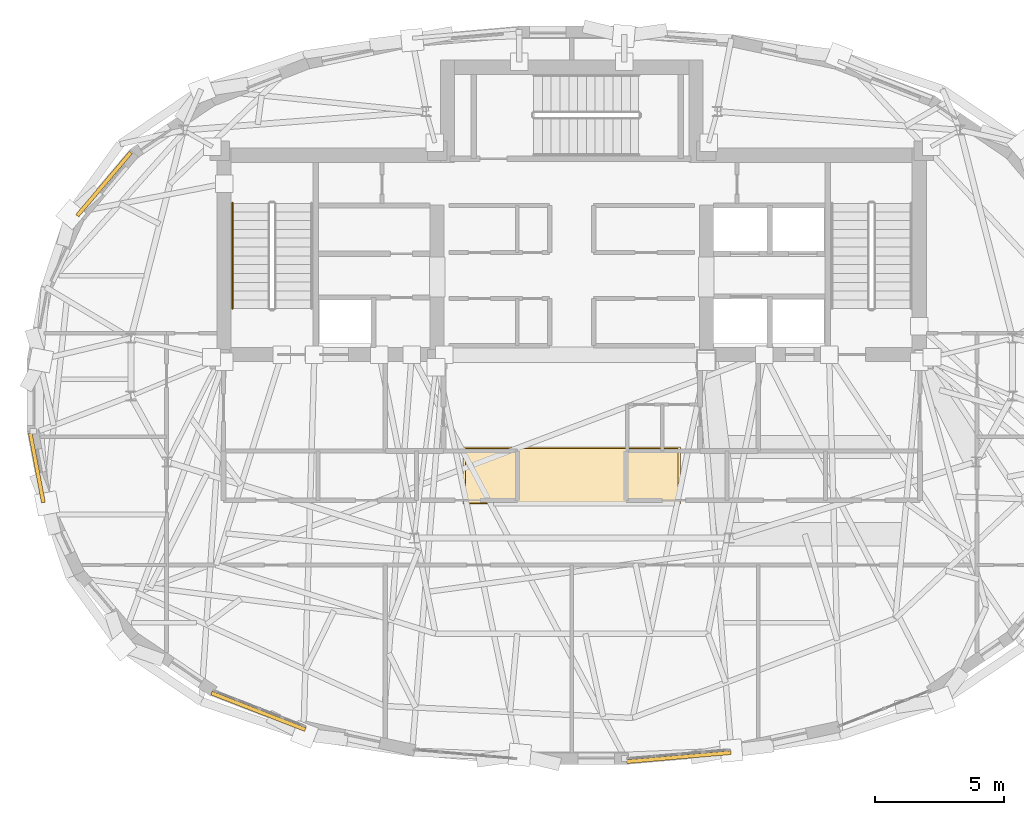
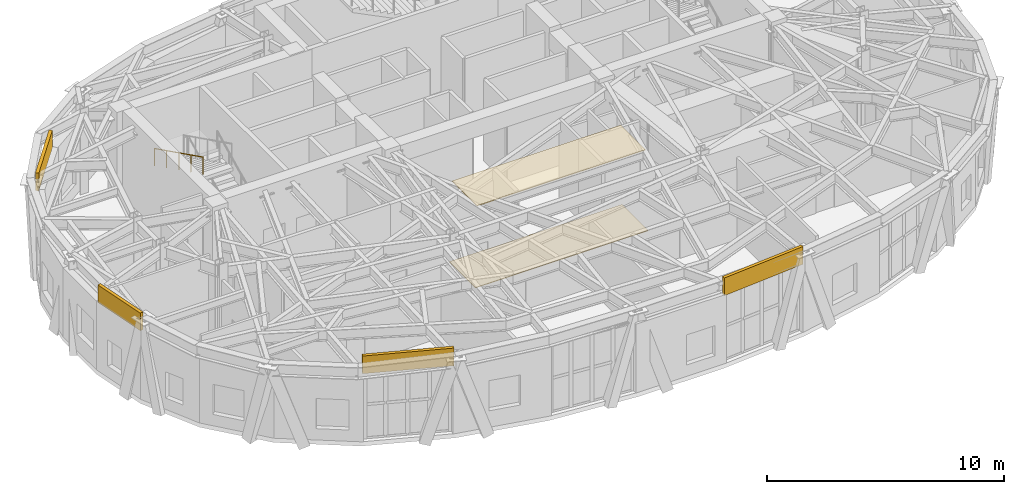
# One storey, part 13 of 15: 6 coverings, 1 railing.
"""IFC4 building model written with IfcOpenShell, lengths in metres."""

from ifc_helpers import new_model, si_unit, direction, frame, origin, origin_2d, place, context, subcontext, project, spatial, rectangle, circle, extrude, material, layer, layer_set, type_object, element, save


model = new_model("IFC4")

# Units and contexts
model_context = context("Model", 3, precision=1e-05, world=origin(), true_north=direction((0.0, 1.0)))
body_context = subcontext(model_context, "Body", "Model", "MODEL_VIEW")
ifc_project = project(units=[si_unit("LENGTHUNIT", "METRE"), si_unit("AREAUNIT", "SQUARE_METRE"), si_unit("VOLUMEUNIT", "CUBIC_METRE"), si_unit("PLANEANGLEUNIT", "RADIAN"), si_unit("MASSUNIT", "GRAM", prefix="KILO")], contexts=[model_context])

# Site, building, storey
site_placement = place(None, origin())
site = spatial("IfcSite", under=ifc_project, at=site_placement, CompositionType="ELEMENT")
building_placement = place(site_placement, origin())
building = spatial("IfcBuilding", under=site, at=building_placement, Name="Keldmark Tower", CompositionType="ELEMENT")
storey_placement = place(building_placement, frame((0.0, 0.0, 260.39990234375)))
storey = spatial("IfcBuildingStorey", under=building, at=storey_placement, Name="L74", CompositionType="ELEMENT", Elevation=260.39990234375)

# Coverings
ifc_material_1 = material(Name="Honed Kasota Buff Dolomitic Limestone", Category="masonry")
ifc_layer_1 = layer(ifc_material_1, 0.074951171875)
ifc_layer_set_1 = layer_set([ifc_layer_1], Name="Honed Kasota Buff Dolomitic Limestone")
covering_type_1 = type_object("IfcCoveringType", Name="Kasota Buff Limestone Spandrel Cladding Band", PredefinedType="CLADDING", material=ifc_layer_set_1)
covering_1_placement = place(storey_placement, frame((-18.062744140625, 8.160400390625, 3.47021484375), z_axis=(0.0, 0.0, 1.0), x_axis=(-0.64708257544, -0.762419924033, 0.0)))
element("IfcCovering", 1, at=covering_1_placement, inside=storey, type_object=covering_type_1, Name="L74 Kasota Limestone Spandrel Band 13", PredefinedType="CLADDING", context=body_context, shape_type="SweptSolid", body=[
    extrude(rectangle(XDim=3.2021484375, YDim=0.14990234375, at=origin_2d()), origin(), (0.0, 0.0, 1.0), 0.909912109375),
])
covering_2_placement = place(storey_placement, frame((-20.659912109375, -2.7900390625, 3.47021484375), z_axis=(0.0, 0.0, 1.0), x_axis=(0.185598015619, -0.982625756124, 0.0)))
element("IfcCovering", 2, at=covering_2_placement, inside=storey, type_object=covering_type_1, Name="L74 Kasota Limestone Spandrel Band 17", PredefinedType="CLADDING", context=body_context, shape_type="SweptSolid", body=[
    extrude(rectangle(XDim=2.74169921875, YDim=0.14990234375, at=origin_2d()), origin(), (0.0, 0.0, 1.0), 0.909912109375),
])
covering_3_placement = place(storey_placement, frame((-12.102294921875, -12.199462890625, 3.47021484375), z_axis=(0.0, 0.0, 1.0), x_axis=(0.931634156722, -0.363397575707, 0.0)))
element("IfcCovering", 3, at=covering_3_placement, inside=storey, type_object=covering_type_1, Name="L74 Kasota Limestone Spandrel Band 21", PredefinedType="CLADDING", context=body_context, shape_type="SweptSolid", body=[
    extrude(rectangle(XDim=3.890380859375, YDim=0.14990234375, at=origin_2d()), origin(), (0.0, 0.0, 1.0), 0.909912109375),
])
covering_4_placement = place(storey_placement, frame((4.135986328125, -13.969482421875, 3.47021484375), z_axis=(0.0, 0.0, 1.0), x_axis=(0.996255301507, 0.086460246466, 0.0)))
element("IfcCovering", 4, at=covering_4_placement, inside=storey, type_object=covering_type_1, Name="L74 Kasota Limestone Spandrel Band 25", PredefinedType="CLADDING", context=body_context, shape_type="SweptSolid", body=[
    extrude(rectangle(XDim=4.04345703125, YDim=0.14990234375, at=origin_2d()), origin(), (0.0, 0.0, 1.0), 0.909912109375),
])

# Railing
ifc_material_2 = material(Name="Stainless Steel AISI 316L", Category="steel")
railing_type = type_object("IfcRailingType", Name="Stainless Steel Stair Handrail 900 mm", PredefinedType="HANDRAIL", material=ifc_material_2)
railing_placement = place(storey_placement, frame((-13.10009765625, 7.429931640625, 2.369384765625)))
element("IfcRailing", 5, at=railing_placement, inside=storey, type_object=railing_type, Name="L74 ST1 stair handrail 2", PredefinedType="HANDRAIL", context=body_context, shape_type="SweptSolid", body=[
    extrude(circle(Radius=0.02392578125, at=origin_2d()), frame((0.0, 0.0, 0.8759765625), z_axis=(0.0, -0.895229316009, 0.445605735777), x_axis=(1.0, 0.0, 0.0)), (0.0, 0.0, 1.0), 4.557373046875),
    extrude(circle(Radius=0.02099609375, at=origin_2d()), origin(), (0.0, 0.0, 1.0), 0.851806640625),
    extrude(circle(Radius=0.02099609375, at=origin_2d()), frame((0.0, -1.02001953125, 0.5078125)), (0.0, 0.0, 1.0), 0.851806640625),
    extrude(circle(Radius=0.02099609375, at=origin_2d()), frame((0.0, -2.0400390625, 1.015380859375)), (0.0, 0.0, 1.0), 0.851806640625),
    extrude(circle(Radius=0.02099609375, at=origin_2d()), frame((0.0, -3.059814453125, 1.52294921875)), (0.0, 0.0, 1.0), 0.851806640625),
    extrude(circle(Radius=0.02099609375, at=origin_2d()), frame((0.0, -4.079833984375, 2.03076171875)), (0.0, 0.0, 1.0), 0.851806640625),
])

# Coverings
ifc_material_3 = material(Name="Perforated Acoustic Gypsum and Recycled Mineral Wool", Category="gypsum")
ifc_layer_2 = layer(ifc_material_3, 0.044921875)
ifc_layer_set_2 = layer_set([ifc_layer_2], Name="Perforated Acoustic Gypsum and Recycled Mineral Wool")
covering_type_2 = type_object("IfcCoveringType", Name="Suspended Acoustic Mineral-Fiber Ceiling 45 mm", PredefinedType="CEILING", material=ifc_layer_set_2)
covering_5_placement = place(storey_placement, frame((0.0, -3.10009765625, 4.13525390625), z_axis=(0.0, 0.0, 1.0), x_axis=(1.0, 0.0, 0.0)))
element("IfcCovering", 6, at=covering_5_placement, inside=storey, type_object=covering_type_2, Name="L74 Lift Lobby Acoustic Ceiling", PredefinedType="CEILING", context=body_context, shape_type="SweptSolid", body=[
    extrude(rectangle(XDim=8.199951171875, YDim=2.10009765625, at=origin_2d()), origin(), (0.0, 0.0, 1.0), 0.044921875),
])
ifc_material_4 = material(Name="Honed Minnesota Dolomitic Limestone Epoxy Terrazzo", Category="masonry")
ifc_layer_3 = layer(ifc_material_4, 0.034912109375)
ifc_layer_set_3 = layer_set([ifc_layer_3], Name="Honed Minnesota Dolomitic Limestone Epoxy Terrazzo")
covering_type_3 = type_object("IfcCoveringType", Name="Terrazzo Public Lobby Flooring 35 mm", PredefinedType="FLOORING", material=ifc_layer_set_3)
covering_6_placement = place(storey_placement, frame((0.0, -3.10009765625, 0.0), z_axis=(0.0, 0.0, 1.0), x_axis=(1.0, 0.0, 0.0)))
element("IfcCovering", 7, at=covering_6_placement, inside=storey, type_object=covering_type_3, Name="L74 Lift Lobby Finish Flooring", PredefinedType="FLOORING", context=body_context, shape_type="SweptSolid", body=[
    extrude(rectangle(XDim=8.39990234375, YDim=2.199951171875, at=origin_2d()), origin(), (0.0, 0.0, 1.0), 0.030029296875),
])

save(model, "model.ifc")
